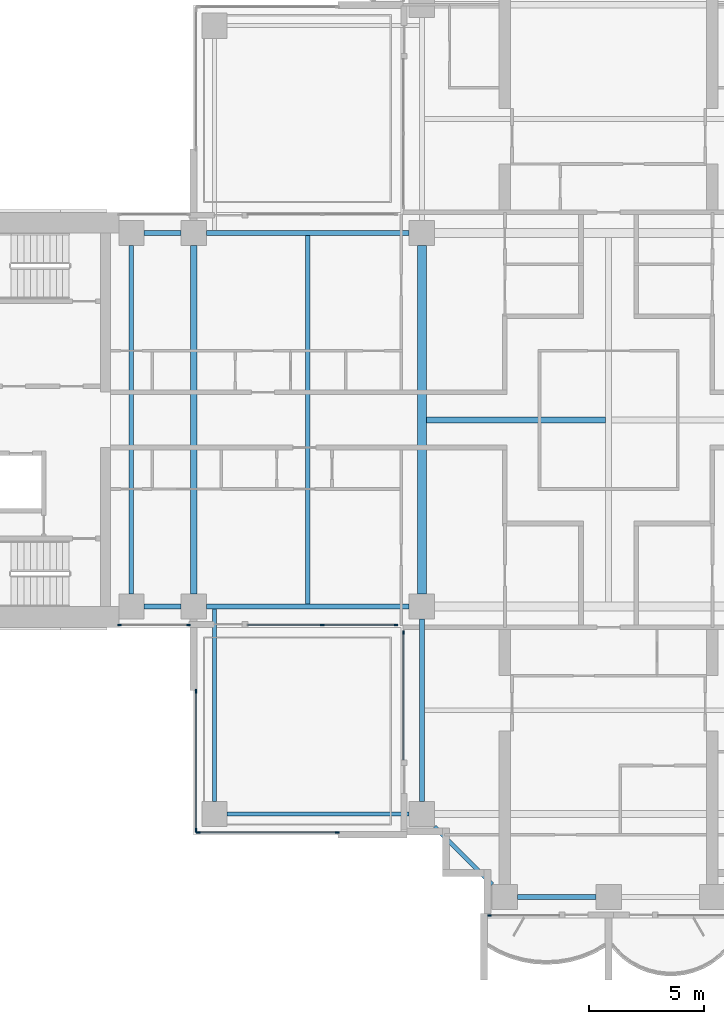
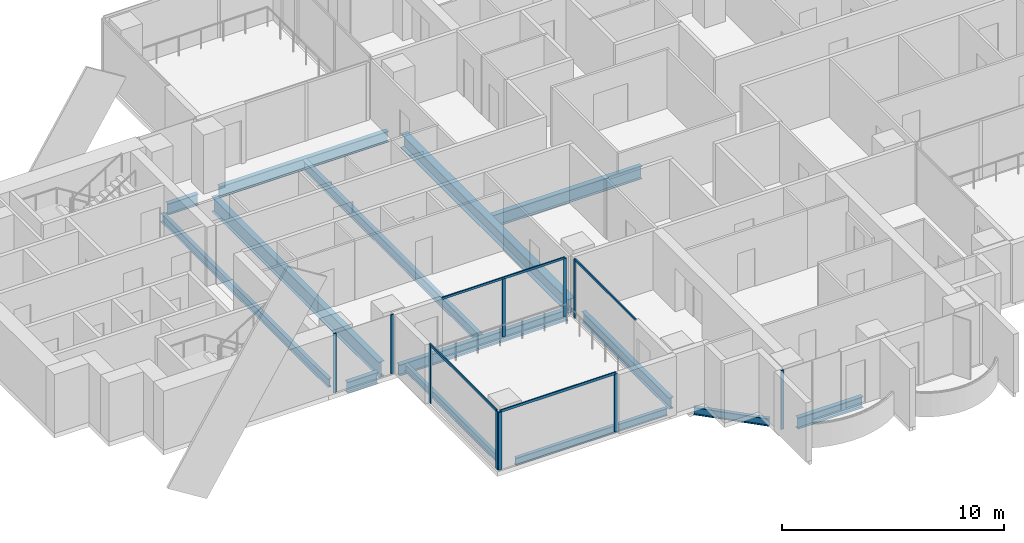
# One storey, part 2 of 19: 14 beams, 14 members, 6 elements without a shape of their own.
"""IFC4 building model written with IfcOpenShell, lengths in metres."""

from ifc_helpers import new_model, si_unit, direction, frame, origin, origin_2d, place, context, subcontext, project, spatial, rectangle, i_section, extrude, material, material_profile, profile_set, type_object, element, aggregate, save


model = new_model("IFC4")

# Units and contexts
model_context = context("Model", 3, precision=1e-05, world=origin(), true_north=direction((0.0, 1.0)))
body_context = subcontext(model_context, "Body", "Model", "MODEL_VIEW")
ifc_project = project(units=[si_unit("LENGTHUNIT", "METRE"), si_unit("AREAUNIT", "SQUARE_METRE"), si_unit("VOLUMEUNIT", "CUBIC_METRE"), si_unit("PLANEANGLEUNIT", "RADIAN"), si_unit("MASSUNIT", "GRAM", prefix="KILO")], contexts=[model_context])

# Site, building, storey
site_placement = place(None, origin())
site = spatial("IfcSite", under=ifc_project, at=site_placement, CompositionType="ELEMENT")
building_placement = place(site_placement, origin())
building = spatial("IfcBuilding", under=site, at=building_placement, Name="Perihelion Cross Residences", CompositionType="ELEMENT")
storey_placement = place(building_placement, frame((0.0, 0.0, 105.89990234375)))
storey = spatial("IfcBuildingStorey", under=building, at=storey_placement, Name="L24", CompositionType="ELEMENT", Elevation=105.89990234375)

# Curtain wall, members
ifc_material_1 = material(Name="Bronze anodised aluminium, tinted glazing", Category="aluminium")
curtain_wall_type_1 = type_object("IfcCurtainWallType", Name="CW1", PredefinedType="NOTDEFINED", material=ifc_material_1)
curtain_wall_1_placement = place(storey_placement, origin())
curtain_wall_1 = element("IfcCurtainWall", 1, at=curtain_wall_1_placement, inside=storey, type_object=curtain_wall_type_1, Name="Curtain wall CW1 L24 west side south bay 1", PredefinedType="NOTDEFINED")
ifc_material_2 = material(Name="Bronze anodised aluminium", Category="aluminium")
ifc_material_profile_1 = material_profile(ifc_material_2, rectangle(XDim=0.06005859375, YDim=0.159912109375, at=origin_2d()), Name="CW1 mullion")
ifc_profile_set_1 = profile_set([ifc_material_profile_1], Name="Bronze anodised aluminium")
member_type_1 = type_object("IfcMemberType", Name="CW1 mullion", PredefinedType="MULLION", material=ifc_profile_set_1)
member_1_placement = place(storey_placement, frame((-21.219970703125, -8.89990234375, 0.0), z_axis=(0.0, 0.0, 1.0), x_axis=(0.0, 1.0, 0.0)))
member_1 = element("IfcMember", 2, at=member_1_placement, type_object=member_type_1, Name="CW1 mullion 1", PredefinedType="MULLION", context=body_context, shape_type="SweptSolid", body=[
    extrude(rectangle(XDim=0.06005859375, YDim=0.159912109375, at=origin_2d()), origin(), (0.0, 0.0, 1.0), 3.25),
])
member_2_placement = place(storey_placement, frame((-18.22998046875, -8.89990234375, 0.0), z_axis=(0.0, 0.0, 1.0), x_axis=(0.0, 1.0, 0.0)))
member_2 = element("IfcMember", 3, at=member_2_placement, type_object=member_type_1, Name="CW1 mullion 2", PredefinedType="MULLION", context=body_context, shape_type="SweptSolid", body=[
    extrude(rectangle(XDim=0.06005859375, YDim=0.159912109375, at=origin_2d()), origin(), (0.0, 0.0, 1.0), 3.25),
])
aggregate(curtain_wall_1, [member_1, member_2])

curtain_wall_2_placement = place(storey_placement, origin())
curtain_wall_2 = element("IfcCurtainWall", 4, at=curtain_wall_2_placement, inside=storey, type_object=curtain_wall_type_1, Name="Curtain wall CW1 L24 west side south bay 2", PredefinedType="NOTDEFINED")
member_3_placement = place(storey_placement, frame((-12.425048828125, -8.89990234375, 0.0), z_axis=(0.0, 0.0, 1.0), x_axis=(0.0, 1.0, 0.0)))
member_3 = element("IfcMember", 5, at=member_3_placement, type_object=member_type_1, Name="CW1 mullion 2", PredefinedType="MULLION", context=body_context, shape_type="SweptSolid", body=[
    extrude(rectangle(XDim=0.06005859375, YDim=0.159912109375, at=origin_2d()), origin(), (0.0, 0.0, 1.0), 3.190185546875),
])
member_4_placement = place(storey_placement, frame((-9.22998046875, -8.89990234375, 0.0), z_axis=(0.0, 0.0, 1.0), x_axis=(0.0, 1.0, 0.0)))
member_4 = element("IfcMember", 6, at=member_4_placement, type_object=member_type_1, Name="CW1 mullion 3", PredefinedType="MULLION", context=body_context, shape_type="SweptSolid", body=[
    extrude(rectangle(XDim=0.06005859375, YDim=0.159912109375, at=origin_2d()), origin(), (0.0, 0.0, 1.0), 3.190185546875),
])

# Curtain wall, member
curtain_wall_3_placement = place(storey_placement, origin())
curtain_wall_3 = element("IfcCurtainWall", 7, at=curtain_wall_3_placement, inside=storey, type_object=curtain_wall_type_1, Name="Curtain wall CW1 L24 south side west bay 1", PredefinedType="NOTDEFINED")
member_5_placement = place(storey_placement, frame((-8.89990234375, -9.22998046875, 0.0), z_axis=(0.0, 0.0, 1.0), x_axis=(1.0, 0.0, 0.0)))
member_5 = element("IfcMember", 8, at=member_5_placement, type_object=member_type_1, Name="CW1 mullion 1", PredefinedType="MULLION", context=body_context, shape_type="SweptSolid", body=[
    extrude(rectangle(XDim=0.06005859375, YDim=0.159912109375, at=origin_2d()), origin(), (0.0, 0.0, 1.0), 3.190185546875),
])

curtain_wall_4_placement = place(storey_placement, origin())
curtain_wall_4 = element("IfcCurtainWall", 9, at=curtain_wall_4_placement, inside=storey, type_object=curtain_wall_type_1, Name="Curtain wall CW1 L24 south tip south bay 1", PredefinedType="NOTDEFINED")
member_6_placement = place(storey_placement, frame((-5.169921875, -21.5, 0.0), z_axis=(0.0, 0.0, 1.0), x_axis=(0.0, 1.0, 0.0)))
member_6 = element("IfcMember", 10, at=member_6_placement, type_object=member_type_1, Name="CW1 mullion 1", PredefinedType="MULLION", context=body_context, shape_type="SweptSolid", body=[
    extrude(rectangle(XDim=0.06005859375, YDim=0.159912109375, at=origin_2d()), origin(), (0.0, 0.0, 1.0), 3.25),
])
aggregate(curtain_wall_4, [member_6])

# Member
ifc_material_3 = material(Name="Bronze anodised aluminium", Category="aluminium")
ifc_material_profile_2 = material_profile(ifc_material_3, rectangle(XDim=0.06005859375, YDim=0.1201171875, at=origin_2d()), Name="CW1 transom")
ifc_profile_set_2 = profile_set([ifc_material_profile_2], Name="Bronze anodised aluminium")
member_type_2 = type_object("IfcMemberType", Name="CW1 transom", PredefinedType="USERDEFINED", material=ifc_profile_set_2)
member_7_placement = place(storey_placement, frame((-15.64990234375, -8.89990234375, 3.22021484375), z_axis=(1.0, 0.0, 0.0), x_axis=(0.0, 1.0, 0.0)))
member_7 = element("IfcMember", 11, at=member_7_placement, type_object=member_type_2, Name="CW1 head transom", ObjectType="TRANSOM", PredefinedType="USERDEFINED", context=body_context, shape_type="SweptSolid", body=[
    extrude(rectangle(XDim=0.06005859375, YDim=0.1201171875, at=origin_2d()), origin(), (0.0, 0.0, 1.0), 6.419921875),
])

aggregate(curtain_wall_2, [member_3, member_4, member_7])

member_8_placement = place(storey_placement, frame((-8.89990234375, -9.22998046875, 3.22021484375), z_axis=(0.0, -1.0, 0.0), x_axis=(1.0, 0.0, 0.0)))
member_8 = element("IfcMember", 12, at=member_8_placement, type_object=member_type_2, Name="CW1 head transom", ObjectType="TRANSOM", PredefinedType="USERDEFINED", context=body_context, shape_type="SweptSolid", body=[
    extrude(rectangle(XDim=0.06005859375, YDim=0.1201171875, at=origin_2d()), origin(), (0.0, 0.0, 1.0), 5.52001953125),
])

aggregate(curtain_wall_3, [member_5, member_8])

# Curtain wall, members
ifc_material_4 = material(Name="Bronze anodised aluminium, tinted glazing", Category="aluminium")
curtain_wall_type_2 = type_object("IfcCurtainWallType", Name="CW4", PredefinedType="NOTDEFINED", material=ifc_material_4)
curtain_wall_5_placement = place(storey_placement, origin())
curtain_wall_5 = element("IfcCurtainWall", 13, at=curtain_wall_5_placement, inside=storey, type_object=curtain_wall_type_2, Name="Curtain wall CW4 L24 pocket south-west 1 1", PredefinedType="NOTDEFINED")
ifc_material_5 = material(Name="Bronze anodised aluminium", Category="aluminium")
ifc_material_profile_3 = material_profile(ifc_material_5, rectangle(XDim=0.06005859375, YDim=0.179931640625, at=origin_2d()), Name="CW4 mullion")
ifc_profile_set_3 = profile_set([ifc_material_profile_3], Name="Bronze anodised aluminium")
member_type_3 = type_object("IfcMemberType", Name="CW4 mullion", PredefinedType="MULLION", material=ifc_profile_set_3)
member_9_placement = place(storey_placement, frame((-11.77001953125, -17.89990234375, 0.0), z_axis=(0.0, 0.0, 1.0), x_axis=(0.0, -1.0, 0.0)))
member_9 = element("IfcMember", 14, at=member_9_placement, type_object=member_type_3, Name="CW4 mullion 1", PredefinedType="MULLION", context=body_context, shape_type="SweptSolid", body=[
    extrude(rectangle(XDim=0.06005859375, YDim=0.179931640625, at=origin_2d()), origin(), (0.0, 0.0, 1.0), 3.190185546875),
])
member_10_placement = place(storey_placement, frame((-17.800048828125, -17.89990234375, 0.0), z_axis=(0.0, 0.0, 1.0), x_axis=(0.0, -1.0, 0.0)))
member_10 = element("IfcMember", 15, at=member_10_placement, type_object=member_type_3, Name="CW4 mullion 2", PredefinedType="MULLION", context=body_context, shape_type="SweptSolid", body=[
    extrude(rectangle(XDim=0.06005859375, YDim=0.179931640625, at=origin_2d()), origin(), (0.0, 0.0, 1.0), 3.190185546875),
])

curtain_wall_6_placement = place(storey_placement, origin())
curtain_wall_6 = element("IfcCurtainWall", 16, at=curtain_wall_6_placement, inside=storey, type_object=curtain_wall_type_2, Name="Curtain wall CW4 L24 pocket south-west 1 2", PredefinedType="NOTDEFINED")
member_11_placement = place(storey_placement, frame((-17.89990234375, -17.800048828125, 0.0), z_axis=(0.0, 0.0, 1.0), x_axis=(-1.0, 0.0, 0.0)))
member_11 = element("IfcMember", 17, at=member_11_placement, type_object=member_type_3, Name="CW4 mullion 1", PredefinedType="MULLION", context=body_context, shape_type="SweptSolid", body=[
    extrude(rectangle(XDim=0.06005859375, YDim=0.179931640625, at=origin_2d()), origin(), (0.0, 0.0, 1.0), 3.190185546875),
])
member_12_placement = place(storey_placement, frame((-17.89990234375, -11.77001953125, 0.0), z_axis=(0.0, 0.0, 1.0), x_axis=(-1.0, 0.0, 0.0)))
member_12 = element("IfcMember", 18, at=member_12_placement, type_object=member_type_3, Name="CW4 mullion 2", PredefinedType="MULLION", context=body_context, shape_type="SweptSolid", body=[
    extrude(rectangle(XDim=0.06005859375, YDim=0.179931640625, at=origin_2d()), origin(), (0.0, 0.0, 1.0), 3.190185546875),
])

# Member
ifc_material_6 = material(Name="Bronze anodised aluminium", Category="aluminium")
ifc_material_profile_4 = material_profile(ifc_material_6, rectangle(XDim=0.06005859375, YDim=0.139892578125, at=origin_2d()), Name="CW4 transom")
ifc_profile_set_4 = profile_set([ifc_material_profile_4], Name="Bronze anodised aluminium")
member_type_4 = type_object("IfcMemberType", Name="CW4 transom", PredefinedType="USERDEFINED", material=ifc_profile_set_4)
member_13_placement = place(storey_placement, frame((-11.77001953125, -17.89990234375, 3.22021484375), z_axis=(-1.0, 0.0, 0.0), x_axis=(0.0, -1.0, 0.0)))
member_13 = element("IfcMember", 19, at=member_13_placement, type_object=member_type_4, Name="CW4 head transom", ObjectType="TRANSOM", PredefinedType="USERDEFINED", context=body_context, shape_type="SweptSolid", body=[
    extrude(rectangle(XDim=0.06005859375, YDim=0.139892578125, at=origin_2d()), origin(), (0.0, 0.0, 1.0), 6.030029296875),
])

aggregate(curtain_wall_5, [member_9, member_10, member_13])

member_14_placement = place(storey_placement, frame((-17.89990234375, -17.800048828125, 3.22021484375), z_axis=(0.0, 1.0, 0.0), x_axis=(-1.0, 0.0, 0.0)))
member_14 = element("IfcMember", 20, at=member_14_placement, type_object=member_type_4, Name="CW4 head transom", ObjectType="TRANSOM", PredefinedType="USERDEFINED", context=body_context, shape_type="SweptSolid", body=[
    extrude(rectangle(XDim=0.06005859375, YDim=0.139892578125, at=origin_2d()), origin(), (0.0, 0.0, 1.0), 6.030029296875),
])

aggregate(curtain_wall_6, [member_11, member_12, member_14])

# Beams
ifc_material_7 = material(Name="Steel S355", Category="steel")
ifc_material_profile_5 = material_profile(ifc_material_7, i_section(OverallWidth=0.177978515625, OverallDepth=0.406005859375, WebThickness=0.0078125, FlangeThickness=0.0126953125, at=origin_2d()), Name="W410x60")
ifc_profile_set_5 = profile_set([ifc_material_profile_5], Name="Steel S355")
beam_type_1 = type_object("IfcBeamType", Name="Core edge beam W410x60", PredefinedType="BEAM", material=ifc_profile_set_5)
beam_1_placement = place(storey_placement, frame((-17.10009765625, -8.214599609375, -0.452880859375), z_axis=(0.0, -1.0, 0.0), x_axis=(1.0, 0.0, 0.0)))
element("IfcBeam", 21, at=beam_1_placement, inside=storey, type_object=beam_type_1, Name="Core edge beam TB2 L24 corner no. 1", PredefinedType="BEAM", context=body_context, shape_type="SweptSolid", body=[
    extrude(i_section(OverallWidth=0.177978515625, OverallDepth=0.406005859375, WebThickness=0.0078125, FlangeThickness=0.0126953125, at=origin_2d()), origin(), (0.0, 0.0, 1.0), 8.33544921875),
])
beam_2_placement = place(storey_placement, frame((-8.64990234375, -17.10009765625, -0.452880859375), z_axis=(-1.0, 0.0, 0.0), x_axis=(0.0, -1.0, 0.0)))
element("IfcBeam", 22, at=beam_2_placement, inside=storey, type_object=beam_type_1, Name="Core edge beam TB2 L24 corner no. 2", PredefinedType="BEAM", context=body_context, shape_type="SweptSolid", body=[
    extrude(i_section(OverallWidth=0.177978515625, OverallDepth=0.406005859375, WebThickness=0.0078125, FlangeThickness=0.0126953125, at=origin_2d()), origin(), (0.0, 0.0, 1.0), 7.900146484375),
])
ifc_material_8 = material(Name="Steel S355", Category="steel")
ifc_material_profile_6 = material_profile(ifc_material_8, i_section(OverallWidth=0.194091796875, OverallDepth=0.469970703125, WebThickness=0.0126953125, FlangeThickness=0.0205078125, at=origin_2d()), Name="W460x106")
ifc_profile_set_6 = profile_set([ifc_material_profile_6], Name="Steel S355")
beam_type_2 = type_object("IfcBeamType", Name="Core edge beam W460x106", PredefinedType="BEAM", material=ifc_profile_set_6)
beam_3_placement = place(storey_placement, frame((-20.699951171875, -7.550048828125, -0.48486328125), z_axis=(0.0, 1.0, 0.0), x_axis=(-1.0, 0.0, 0.0)))
element("IfcBeam", 23, at=beam_3_placement, inside=storey, type_object=beam_type_2, Name="Core edge beam TB5 L24 no. 1", PredefinedType="BEAM", context=body_context, shape_type="SweptSolid", body=[
    extrude(i_section(OverallWidth=0.194091796875, OverallDepth=0.469970703125, WebThickness=0.0126953125, FlangeThickness=0.0205078125, at=origin_2d()), origin(), (0.0, 0.0, 1.0), 15.10009765625),
])
ifc_material_9 = material(Name="Steel S355", Category="steel")
ifc_material_profile_7 = material_profile(ifc_material_9, i_section(OverallWidth=0.22900390625, OverallDepth=0.612060546875, WebThickness=0.011962890625, FlangeThickness=0.01953125, at=origin_2d()), Name="W610x125")
ifc_profile_set_7 = profile_set([ifc_material_profile_7], Name="Steel S355")
beam_type_3 = type_object("IfcBeamType", Name="Edge beam W610x125", PredefinedType="SPANDREL", material=ifc_profile_set_7)
beam_4_placement = place(storey_placement, frame((-8.64990234375, 8.10009765625, -0.555908203125), z_axis=(-1.0, 0.0, 0.0), x_axis=(0.0, -1.0, 0.0)))
element("IfcBeam", 24, at=beam_4_placement, inside=storey, type_object=beam_type_3, Name="Edge beam SB3 L24 no. 8", PredefinedType="SPANDREL", context=body_context, shape_type="SweptSolid", body=[
    extrude(i_section(OverallWidth=0.22900390625, OverallDepth=0.612060546875, WebThickness=0.011962890625, FlangeThickness=0.01953125, at=origin_2d()), origin(), (0.0, 0.0, 1.0), 8.800048828125),
])
for number, where, z_axis, x_axis, name in (
    (25, (-18.550048828125, 8.10009765625, -0.555908203125), (-1.0, 0.0, 0.0), (0.0, -1.0, 0.0), "Edge beam SB3 L24 no. 2"),
    (26, (-20.14990234375, -8.10009765625, -0.555908203125), (1.0, 0.0, 0.0), (0.0, 1.0, 0.0), "Edge beam SB3 L24 no. 3"),
):
    element("IfcBeam", number, at=place(storey_placement, frame(where, z_axis=z_axis, x_axis=x_axis)), inside=storey, type_object=beam_type_3, Name=name, PredefinedType="SPANDREL", context=body_context, shape_type="SweptSolid", body=[
        extrude(i_section(OverallWidth=0.22900390625, OverallDepth=0.612060546875, WebThickness=0.011962890625, FlangeThickness=0.01953125, at=origin_2d()), origin(), (0.0, 0.0, 1.0), 1.599853515625),
    ])
beam_5_placement = place(storey_placement, frame((-17.449951171875, -8.10009765625, -0.555908203125), z_axis=(1.0, 0.0, 0.0), x_axis=(0.0, 1.0, 0.0)))
element("IfcBeam", 27, at=beam_5_placement, inside=storey, type_object=beam_type_3, Name="Edge beam SB3 L24 no. 1", PredefinedType="SPANDREL", context=body_context, shape_type="SweptSolid", body=[
    extrude(i_section(OverallWidth=0.22900390625, OverallDepth=0.612060546875, WebThickness=0.011962890625, FlangeThickness=0.01953125, at=origin_2d()), origin(), (0.0, 0.0, 1.0), 8.800048828125),
])
beam_6_placement = place(storey_placement, frame((-8.10009765625, -8.64990234375, -0.555908203125), z_axis=(0.0, -1.0, 0.0), x_axis=(1.0, 0.0, 0.0)))
element("IfcBeam", 28, at=beam_6_placement, inside=storey, type_object=beam_type_3, Name="Edge beam SB3 L24 no. 5", PredefinedType="SPANDREL", context=body_context, shape_type="SweptSolid", body=[
    extrude(i_section(OverallWidth=0.22900390625, OverallDepth=0.612060546875, WebThickness=0.011962890625, FlangeThickness=0.01953125, at=origin_2d()), origin(), (0.0, 0.0, 1.0), 7.900146484375),
])
beam_7_placement = place(storey_placement, frame((-3.949951171875, -20.699951171875, -0.555908203125), z_axis=(1.0, 0.0, 0.0), x_axis=(0.0, 1.0, 0.0)))
element("IfcBeam", 29, at=beam_7_placement, inside=storey, type_object=beam_type_3, Name="Edge beam SB3 L24 no. 4", PredefinedType="SPANDREL", context=body_context, shape_type="SweptSolid", body=[
    extrude(i_section(OverallWidth=0.22900390625, OverallDepth=0.612060546875, WebThickness=0.011962890625, FlangeThickness=0.01953125, at=origin_2d()), origin(), (0.0, 0.0, 1.0), 3.39990234375),
])
ifc_material_10 = material(Name="Steel S355", Category="steel")
ifc_material_profile_8 = material_profile(ifc_material_10, i_section(OverallWidth=0.2919921875, OverallDepth=0.8359375, WebThickness=0.013916015625, FlangeThickness=0.018798828125, at=origin_2d()), Name="W840x176")
ifc_profile_set_8 = profile_set([ifc_material_profile_8], Name="Steel S355")
beam_type_4 = type_object("IfcBeamType", Name="Floor girder W840x176", PredefinedType="BEAM", material=ifc_profile_set_8)
beam_8_placement = place(storey_placement, frame((-18.0, -7.550048828125, -0.66796875), z_axis=(0.0, 1.0, 0.0), x_axis=(-1.0, 0.0, 0.0)))
element("IfcBeam", 30, at=beam_8_placement, inside=storey, type_object=beam_type_4, Name="Girder G3 L24 no. 1", PredefinedType="BEAM", context=body_context, shape_type="SweptSolid", body=[
    extrude(i_section(OverallWidth=0.2919921875, OverallDepth=0.8359375, WebThickness=0.013916015625, FlangeThickness=0.018798828125, at=origin_2d()), origin(), (0.0, 0.0, 1.0), 15.10009765625),
])
ifc_material_11 = material(Name="Steel S355", Category="steel")
ifc_material_profile_9 = material_profile(ifc_material_11, i_section(OverallWidth=0.208984375, OverallDepth=0.532958984375, WebThickness=0.01025390625, FlangeThickness=0.015625, at=origin_2d()), Name="W530x92")
ifc_profile_set_9 = profile_set([ifc_material_profile_9], Name="Steel S355")
beam_type_5 = type_object("IfcBeamType", Name="Floor joist W530x92", PredefinedType="JOIST", material=ifc_profile_set_9)
beam_9_placement = place(storey_placement, frame((-13.050048828125, -7.985595703125, -0.516357421875), z_axis=(0.0, 1.0, 0.0), x_axis=(-1.0, 0.0, 0.0)))
element("IfcBeam", 31, at=beam_9_placement, inside=storey, type_object=beam_type_5, Name="Joist J4 L24 no. 1", PredefinedType="JOIST", context=body_context, shape_type="SweptSolid", body=[
    extrude(i_section(OverallWidth=0.208984375, OverallDepth=0.532958984375, WebThickness=0.01025390625, FlangeThickness=0.015625, at=origin_2d()), origin(), (0.0, 0.0, 1.0), 15.97119140625),
])
ifc_material_12 = material(Name="Steel S355", Category="steel")
ifc_material_profile_10 = material_profile(ifc_material_12, i_section(OverallWidth=0.257080078125, OverallDepth=0.693115234375, WebThickness=0.014404296875, FlangeThickness=0.023681640625, at=origin_2d()), Name="W690x170")
ifc_profile_set_10 = profile_set([ifc_material_profile_10], Name="Steel S355")
beam_type_6 = type_object("IfcBeamType", Name="Hub cross beam W690x170", PredefinedType="BEAM", material=ifc_profile_set_10)
beam_10_placement = place(storey_placement, frame((-7.909423828125, 0.0, -0.596435546875), z_axis=(1.0, 0.0, 0.0), x_axis=(0.0, 1.0, 0.0)))
element("IfcBeam", 32, at=beam_10_placement, inside=storey, type_object=beam_type_6, Name="Hub cross beam XB3 L24 1 no. 1", PredefinedType="BEAM", context=body_context, shape_type="SweptSolid", body=[
    extrude(i_section(OverallWidth=0.257080078125, OverallDepth=0.693115234375, WebThickness=0.014404296875, FlangeThickness=0.023681640625, at=origin_2d()), origin(), (0.0, 0.0, 1.0), 7.781005859375),
])
ifc_material_13 = material(Name="Steel S355", Category="steel")
ifc_material_profile_11 = material_profile(ifc_material_13, i_section(OverallWidth=0.381103515625, OverallDepth=0.77197265625, WebThickness=0.0166015625, FlangeThickness=0.027099609375, at=origin_2d()), Name="W760x257")
ifc_profile_set_11 = profile_set([ifc_material_profile_11], Name="Steel S355")
beam_type_7 = type_object("IfcBeamType", Name="Hub ring girder W760x257", PredefinedType="BEAM", material=ifc_profile_set_11)
beam_11_placement = place(storey_placement, frame((-8.10009765625, 7.550048828125, -0.635986328125), z_axis=(0.0, -1.0, 0.0), x_axis=(1.0, 0.0, 0.0)))
element("IfcBeam", 33, at=beam_11_placement, inside=storey, type_object=beam_type_7, Name="Hub ring girder RG3 L24 no. 2", PredefinedType="BEAM", context=body_context, shape_type="SweptSolid", body=[
    extrude(i_section(OverallWidth=0.381103515625, OverallDepth=0.77197265625, WebThickness=0.0166015625, FlangeThickness=0.027099609375, at=origin_2d()), origin(), (0.0, 0.0, 1.0), 15.10009765625),
])
ifc_material_14 = material(Name="Steel S355", Category="steel")
ifc_material_profile_12 = material_profile(ifc_material_14, i_section(OverallWidth=0.180908203125, OverallDepth=0.4169921875, WebThickness=0.010986328125, FlangeThickness=0.018310546875, at=origin_2d()), Name="W410x85")
ifc_profile_set_12 = profile_set([ifc_material_profile_12], Name="Steel S355")
beam_type_8 = type_object("IfcBeamType", Name="Serration edge beam W410x85", PredefinedType="BEAM", material=ifc_profile_set_12)
beam_12_placement = place(storey_placement, frame((-7.550048828125, -17.64990234375, -0.45849609375), z_axis=(0.707106781187, -0.707106781187, 0.0), x_axis=(0.707106781187, 0.707106781187, 0.0)))
element("IfcBeam", 34, at=beam_12_placement, inside=storey, type_object=beam_type_8, Name="Serration edge beam EB3 L24 no. 2", PredefinedType="BEAM", context=body_context, shape_type="SweptSolid", body=[
    extrude(i_section(OverallWidth=0.180908203125, OverallDepth=0.4169921875, WebThickness=0.010986328125, FlangeThickness=0.018310546875, at=origin_2d()), origin(), (0.0, 0.0, 1.0), 3.53564453125),
])

save(model, "model.ifc")
